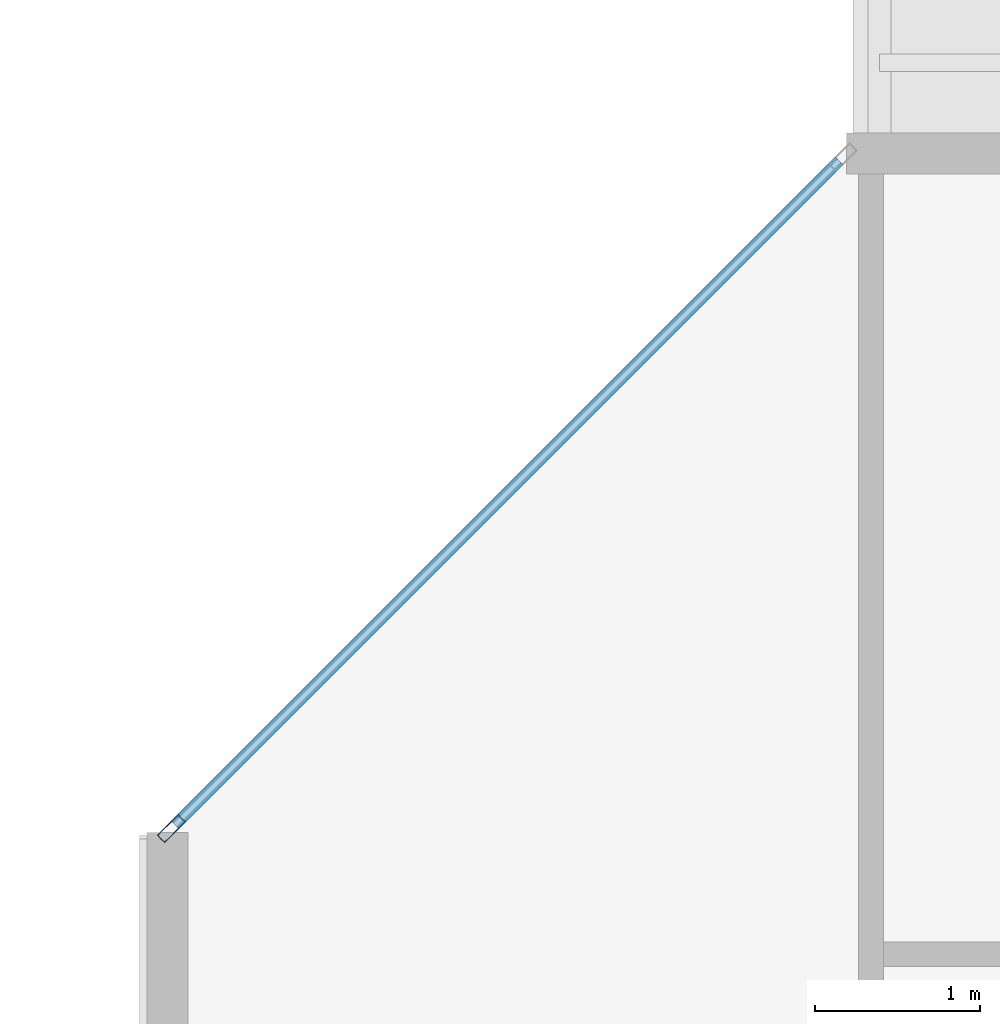
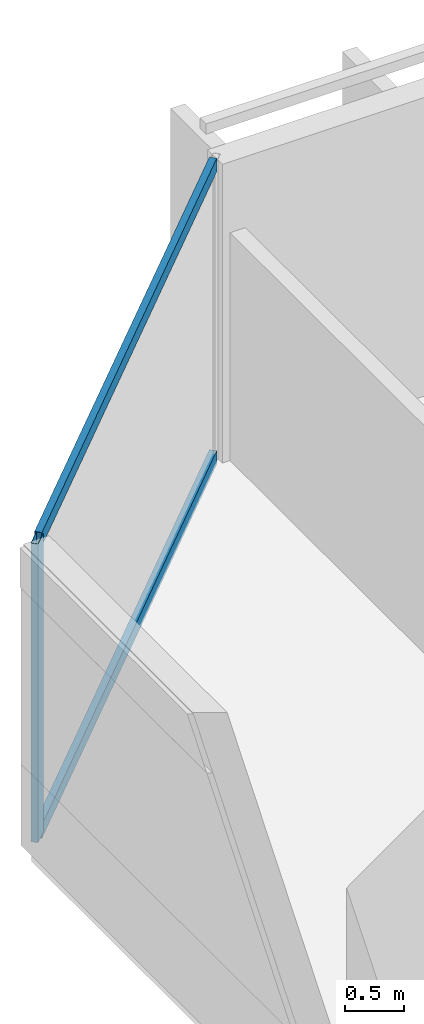
# One storey, part 8 of 33: 3 members, 1 element without a shape of its own.
"""IFC4 building model written with IfcOpenShell, lengths in metres."""

from ifc_helpers import new_model, si_unit, direction, frame, origin, origin_2d, place, context, subcontext, project, spatial, hollow_rectangle, extrude, material, layer, layer_set, material_profile, profile_set, type_object, element, aggregate, save


model = new_model("IFC4")

# Units and contexts
model_context = context("Model", 3, precision=1e-05, world=origin(), true_north=direction((0.0, 1.0)))
body_context = subcontext(model_context, "Body", "Model", "MODEL_VIEW")
ifc_project = project(units=[si_unit("LENGTHUNIT", "METRE"), si_unit("AREAUNIT", "SQUARE_METRE"), si_unit("VOLUMEUNIT", "CUBIC_METRE"), si_unit("PLANEANGLEUNIT", "RADIAN"), si_unit("MASSUNIT", "GRAM", prefix="KILO")], contexts=[model_context])

# Site, building, storey
site_placement = place(None, origin())
site = spatial("IfcSite", under=ifc_project, at=site_placement, CompositionType="ELEMENT")
building_placement = place(site_placement, origin())
building = spatial("IfcBuilding", under=site, at=building_placement, Name="Tanjung Sevakor Pilgrim Tower", CompositionType="ELEMENT")
storey_placement = place(building_placement, frame((0.0, 0.0, 95.3701171875)))
storey = spatial("IfcBuildingStorey", under=building, at=storey_placement, Name="L26", CompositionType="ELEMENT", Elevation=95.3701171875)

# Curtain wall, members
ifc_material_1 = material(Name="Aluminium 6063-T6 and Low-E Glass", Category="aluminium")
ifc_layer = layer(ifc_material_1, 0.179931640625)
ifc_layer_set = layer_set([ifc_layer], Name="CW-SYS-CHAM")
curtain_wall_type = type_object("IfcCurtainWallType", Name="CW-SYS-CHAM", PredefinedType="NOTDEFINED", material=ifc_layer_set)
curtain_wall_placement = place(storey_placement, origin())
curtain_wall = element("IfcCurtainWall", 1, at=curtain_wall_placement, inside=storey, type_object=curtain_wall_type, Name="L26 Curtain Wall CW-CHM-L26-MAIN-13", PredefinedType="NOTDEFINED")
ifc_material_2 = material(Name="Aluminium 6063-T6", Category="aluminium")
ifc_material_profile_1 = material_profile(ifc_material_2, hollow_rectangle(XDim=0.06494140625, YDim=0.179931640625, WallThickness=0.00390625, at=origin_2d()))
ifc_profile_set_1 = profile_set([ifc_material_profile_1], Name="Aluminium 6063-T6")
member_type_1 = type_object("IfcMemberType", Name="TYPE-CWM-1", PredefinedType="MULLION", material=ifc_profile_set_1)
member_1_placement = place(storey_placement, frame((17.347900390625, 53.37109375, 0.0), z_axis=(0.0, 0.0, 1.0), x_axis=(0.707106781187, -0.707106781187, 0.0)))
member_1 = element("IfcMember", 2, at=member_1_placement, type_object=member_type_1, Name="CW-CHM mullion 2", PredefinedType="MULLION", context=body_context, shape_type="SweptSolid", body=[
    extrude(hollow_rectangle(XDim=0.06494140625, YDim=0.179931640625, WallThickness=0.00390625, at=origin_2d()), origin(), (0.0, 0.0, 1.0), 3.079833984375),
])
ifc_material_3 = material(Name="Aluminium 6063-T6", Category="aluminium")
ifc_material_profile_2 = material_profile(ifc_material_3, hollow_rectangle(XDim=0.06494140625, YDim=0.139892578125, WallThickness=0.00390625, at=origin_2d()))
ifc_profile_set_2 = profile_set([ifc_material_profile_2], Name="Aluminium 6063-T6")
member_type_2 = type_object("IfcMemberType", Name="TYPE-CWT-1", PredefinedType="USERDEFINED", material=ifc_profile_set_2)
member_2_placement = place(storey_placement, frame((21.40576171875, 57.428955078125, 0.032470703125), z_axis=(-0.707106781187, -0.707106781187, 0.0), x_axis=(0.707106781187, -0.707106781187, 0.0)))
member_2 = element("IfcMember", 3, at=member_2_placement, type_object=member_type_2, Name="CW-CHM transom 1.1", ObjectType="TRANSOM", PredefinedType="USERDEFINED", context=body_context, shape_type="SweptSolid", body=[
    extrude(hollow_rectangle(XDim=0.06494140625, YDim=0.139892578125, WallThickness=0.00390625, at=origin_2d()), origin(), (0.0, 0.0, 1.0), 5.706298828125),
])
member_3_placement = place(storey_placement, frame((21.40576171875, 57.428955078125, 3.04736328125), z_axis=(-0.707106781187, -0.707106781187, 0.0), x_axis=(0.707106781187, -0.707106781187, 0.0)))
member_3 = element("IfcMember", 4, at=member_3_placement, type_object=member_type_2, Name="CW-CHM transom 1.2", ObjectType="TRANSOM", PredefinedType="USERDEFINED", context=body_context, shape_type="SweptSolid", body=[
    extrude(hollow_rectangle(XDim=0.06494140625, YDim=0.139892578125, WallThickness=0.00390625, at=origin_2d()), origin(), (0.0, 0.0, 1.0), 5.706298828125),
])
aggregate(curtain_wall, [member_1, member_2, member_3])

save(model, "model.ifc")
